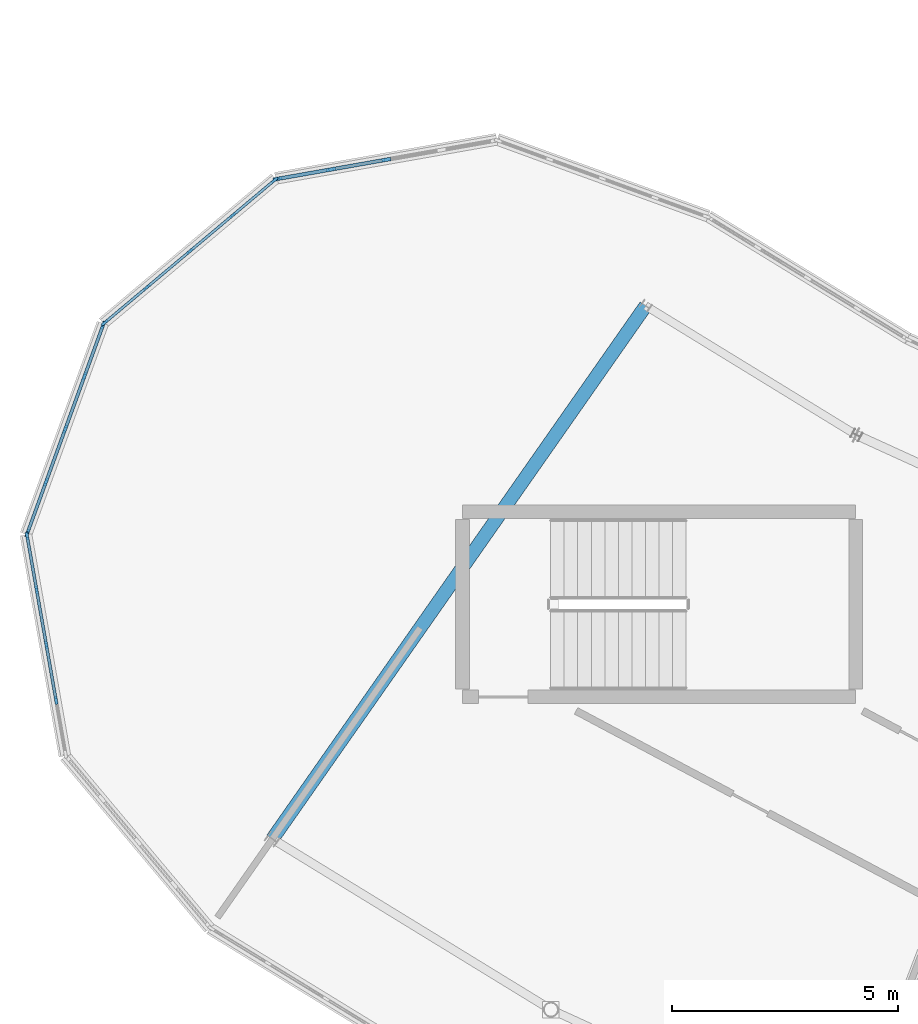
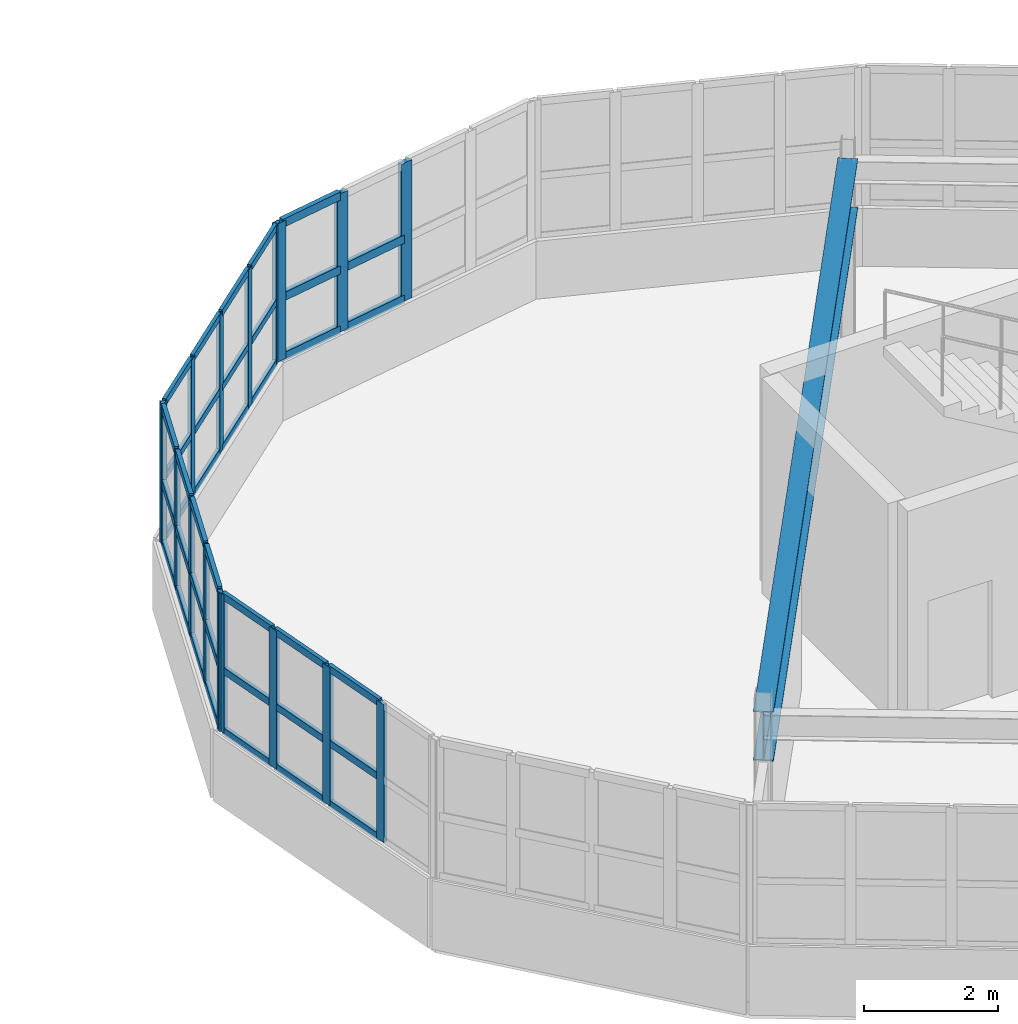
# One storey, part 16 of 65: 55 members, 1 beam, 4 elements without a shape of their own.
"""IFC4 building model written with IfcOpenShell, lengths in metres."""

from ifc_helpers import new_model, si_unit, direction, frame, origin, origin_2d, place, context, subcontext, project, spatial, rectangle, i_section, extrude, material, layer, layer_set, material_profile, profile_set, type_object, element, aggregate, save


model = new_model("IFC4")

# Units and contexts
model_context = context("Model", 3, precision=1e-05, world=origin(), true_north=direction((0.0, 1.0)))
body_context = subcontext(model_context, "Body", "Model", "MODEL_VIEW")
ifc_project = project(units=[si_unit("LENGTHUNIT", "METRE"), si_unit("AREAUNIT", "SQUARE_METRE"), si_unit("VOLUMEUNIT", "CUBIC_METRE"), si_unit("PLANEANGLEUNIT", "RADIAN"), si_unit("MASSUNIT", "GRAM", prefix="KILO")], contexts=[model_context])

# Site, building, storey
site_placement = place(None, origin())
site = spatial("IfcSite", under=ifc_project, at=site_placement, CompositionType="ELEMENT")
building_placement = place(site_placement, origin())
building = spatial("IfcBuilding", under=site, at=building_placement, Name="Tarnwether General Hospital", CompositionType="ELEMENT")
storey_placement = place(building_placement, frame((0.0, 0.0, 22.199951171875)))
storey = spatial("IfcBuildingStorey", under=building, at=storey_placement, Name="L05", CompositionType="ELEMENT", Elevation=22.199951171875)

# Beam
ifc_material_1 = material(Name="Steel Grade 350 (350 MPa)", Category="steel")
ifc_material_profile_1 = material_profile(ifc_material_1, i_section(OverallWidth=0.300048828125, OverallDepth=0.89990234375, WebThickness=0.011962890625, FlangeThickness=0.02001953125, at=origin_2d()), Name="900WB175")
ifc_profile_set_1 = profile_set([ifc_material_profile_1], Name="Steel Grade 350 (350 MPa)")
beam_type = type_object("IfcBeamType", Name="BM-G01", PredefinedType="BEAM", material=ifc_profile_set_1)
beam_placement = place(storey_placement, frame((58.0439453125, 14.506103515625, 3.110107421875), z_axis=(0.573596601347, 0.819137924237, 0.0), x_axis=(-0.819137924237, 0.573596601347, 0.0)))
element("IfcBeam", 1, at=beam_placement, inside=storey, type_object=beam_type, Name="Curved Ward SE Radial Girder BMG-L05-5804_1451-6630_2630-2164", PredefinedType="BEAM", context=body_context, shape_type="SweptSolid", body=[
    extrude(i_section(OverallWidth=0.300048828125, OverallDepth=0.89990234375, WebThickness=0.011962890625, FlangeThickness=0.02001953125, at=origin_2d()), origin(), (0.0, 0.0, 1.0), 14.400390625),
])

# Curtain wall, members
ifc_material_2 = material(Name="Anodised aluminium", Category="aluminium")
ifc_layer = layer(ifc_material_2, 0.159912109375)
ifc_layer_set = layer_set([ifc_layer], Name="Anodised aluminium")
curtain_wall_type = type_object("IfcCurtainWallType", Name="CW-04", PredefinedType="NOTDEFINED", material=ifc_layer_set)
curtain_wall_1_placement = place(storey_placement, origin())
curtain_wall_1 = element("IfcCurtainWall", 2, at=curtain_wall_1_placement, inside=storey, type_object=curtain_wall_type, Name="Curtain Wall CWG-L05-543_259-0241", PredefinedType="NOTDEFINED")
ifc_material_3 = material(Name="Anodised aluminium", Category="aluminium")
ifc_material_profile_2 = material_profile(ifc_material_3, rectangle(XDim=0.06005859375, YDim=0.159912109375, at=origin_2d()), Name="ALU-MUL-60x160")
ifc_profile_set_2 = profile_set([ifc_material_profile_2], Name="Anodised aluminium")
member_type_1 = type_object("IfcMemberType", Name="CW-ML1", PredefinedType="MULLION", material=ifc_profile_set_2)
member_1_placement = place(storey_placement, frame((54.3330078125, 25.92919921875, 1.050048828125), z_axis=(0.0, 0.0, 1.0), x_axis=(-0.64285227611, 0.765990176896, 0.0)))
member_1 = element("IfcMember", 3, at=member_1_placement, type_object=member_type_1, Name="CW-04 mullion 1", PredefinedType="MULLION", context=body_context, shape_type="SweptSolid", body=[
    extrude(rectangle(XDim=0.06005859375, YDim=0.159912109375, at=origin_2d()), origin(), (0.0, 0.0, 1.0), 2.510009765625),
])
member_2_placement = place(storey_placement, frame((55.26171875, 26.708740234375, 1.050048828125), z_axis=(0.0, 0.0, 1.0), x_axis=(-0.64285227611, 0.765990176896, 0.0)))
member_2 = element("IfcMember", 4, at=member_2_placement, type_object=member_type_1, Name="CW-04 mullion 2", PredefinedType="MULLION", context=body_context, shape_type="SweptSolid", body=[
    extrude(rectangle(XDim=0.06005859375, YDim=0.159912109375, at=origin_2d()), origin(), (0.0, 0.0, 1.0), 2.510009765625),
])
member_3_placement = place(storey_placement, frame((56.21337890625, 27.507568359375, 1.050048828125), z_axis=(0.0, 0.0, 1.0), x_axis=(-0.64285227611, 0.765990176896, 0.0)))
member_3 = element("IfcMember", 5, at=member_3_placement, type_object=member_type_1, Name="CW-04 mullion 3", PredefinedType="MULLION", context=body_context, shape_type="SweptSolid", body=[
    extrude(rectangle(XDim=0.06005859375, YDim=0.159912109375, at=origin_2d()), origin(), (0.0, 0.0, 1.0), 2.510009765625),
])
member_4_placement = place(storey_placement, frame((57.165283203125, 28.30615234375, 1.050048828125), z_axis=(0.0, 0.0, 1.0), x_axis=(-0.64285227611, 0.765990176896, 0.0)))
member_4 = element("IfcMember", 6, at=member_4_placement, type_object=member_type_1, Name="CW-04 mullion 4", PredefinedType="MULLION", context=body_context, shape_type="SweptSolid", body=[
    extrude(rectangle(XDim=0.06005859375, YDim=0.159912109375, at=origin_2d()), origin(), (0.0, 0.0, 1.0), 2.510009765625),
])
member_5_placement = place(storey_placement, frame((58.093994140625, 29.085693359375, 1.050048828125), z_axis=(0.0, 0.0, 1.0), x_axis=(-0.64285227611, 0.765990176896, 0.0)))
member_5 = element("IfcMember", 7, at=member_5_placement, type_object=member_type_1, Name="CW-04 mullion 5", PredefinedType="MULLION", context=body_context, shape_type="SweptSolid", body=[
    extrude(rectangle(XDim=0.06005859375, YDim=0.159912109375, at=origin_2d()), origin(), (0.0, 0.0, 1.0), 2.510009765625),
])

curtain_wall_2_placement = place(storey_placement, origin())
curtain_wall_2 = element("IfcCurtainWall", 8, at=curtain_wall_2_placement, inside=storey, type_object=curtain_wall_type, Name="Curtain Wall CWG-L05-526_212-0242", PredefinedType="NOTDEFINED")
ifc_material_4 = material(Name="Anodised aluminium", Category="aluminium")
ifc_material_profile_3 = material_profile(ifc_material_4, rectangle(XDim=0.070068359375, YDim=0.179931640625, at=origin_2d()), Name="ALU-MUL-70x180")
ifc_profile_set_3 = profile_set([ifc_material_profile_3], Name="Anodised aluminium")
member_type_2 = type_object("IfcMemberType", Name="CW-ML2", PredefinedType="MULLION", material=ifc_profile_set_3)
member_6_placement = place(storey_placement, frame((52.623046875, 21.27392578125, 1.050048828125), z_axis=(0.0, 0.0, 1.0), x_axis=(-0.939717006582, 0.341953136469, 0.0)))
member_6 = element("IfcMember", 9, at=member_6_placement, type_object=member_type_2, Name="CW-04 mullion 1", PredefinedType="MULLION", context=body_context, shape_type="SweptSolid", body=[
    extrude(rectangle(XDim=0.070068359375, YDim=0.179931640625, at=origin_2d()), origin(), (0.0, 0.0, 1.0), 2.510009765625),
])
member_7_placement = place(storey_placement, frame((53.03564453125, 22.408203125, 1.050048828125), z_axis=(0.0, 0.0, 1.0), x_axis=(-0.939717006582, 0.341953136469, 0.0)))
member_7 = element("IfcMember", 10, at=member_7_placement, type_object=member_type_2, Name="CW-04 mullion 2", PredefinedType="MULLION", context=body_context, shape_type="SweptSolid", body=[
    extrude(rectangle(XDim=0.070068359375, YDim=0.179931640625, at=origin_2d()), origin(), (0.0, 0.0, 1.0), 2.510009765625),
])
member_8_placement = place(storey_placement, frame((53.46044921875, 23.575439453125, 1.050048828125), z_axis=(0.0, 0.0, 1.0), x_axis=(-0.939717006582, 0.341953136469, 0.0)))
member_8 = element("IfcMember", 11, at=member_8_placement, type_object=member_type_2, Name="CW-04 mullion 3", PredefinedType="MULLION", context=body_context, shape_type="SweptSolid", body=[
    extrude(rectangle(XDim=0.070068359375, YDim=0.179931640625, at=origin_2d()), origin(), (0.0, 0.0, 1.0), 2.510009765625),
])
member_9_placement = place(storey_placement, frame((53.88525390625, 24.74267578125, 1.050048828125), z_axis=(0.0, 0.0, 1.0), x_axis=(-0.939717006582, 0.341953136469, 0.0)))
member_9 = element("IfcMember", 12, at=member_9_placement, type_object=member_type_2, Name="CW-04 mullion 4", PredefinedType="MULLION", context=body_context, shape_type="SweptSolid", body=[
    extrude(rectangle(XDim=0.070068359375, YDim=0.179931640625, at=origin_2d()), origin(), (0.0, 0.0, 1.0), 2.510009765625),
])
member_10_placement = place(storey_placement, frame((54.298095703125, 25.877197265625, 1.050048828125), z_axis=(0.0, 0.0, 1.0), x_axis=(-0.939717006582, 0.341953136469, 0.0)))
member_10 = element("IfcMember", 13, at=member_10_placement, type_object=member_type_2, Name="CW-04 mullion 5", PredefinedType="MULLION", context=body_context, shape_type="SweptSolid", body=[
    extrude(rectangle(XDim=0.070068359375, YDim=0.179931640625, at=origin_2d()), origin(), (0.0, 0.0, 1.0), 2.510009765625),
])

curtain_wall_3_placement = place(storey_placement, origin())
curtain_wall_3 = element("IfcCurtainWall", 14, at=curtain_wall_3_placement, inside=storey, type_object=curtain_wall_type, Name="Curtain Wall CWG-L05-535_163-0243", PredefinedType="NOTDEFINED")
ifc_material_5 = material(Name="Anodised aluminium", Category="aluminium")
ifc_material_profile_4 = material_profile(ifc_material_5, rectangle(XDim=0.06494140625, YDim=0.169921875, at=origin_2d()), Name="ALU-MUL-65x170")
ifc_profile_set_4 = profile_set([ifc_material_profile_4], Name="Anodised aluminium")
member_type_3 = type_object("IfcMemberType", Name="CW-ML3", PredefinedType="MULLION", material=ifc_profile_set_4)
member_11_placement = place(storey_placement, frame((53.257568359375, 17.570556640625, 1.050048828125), z_axis=(0.0, 0.0, 1.0), x_axis=(-0.984840230098, -0.173463890135, 0.0)))
member_11 = element("IfcMember", 15, at=member_11_placement, type_object=member_type_3, Name="CW-04 mullion 2", PredefinedType="MULLION", context=body_context, shape_type="SweptSolid", body=[
    extrude(rectangle(XDim=0.06494140625, YDim=0.169921875, at=origin_2d()), origin(), (0.0, 0.0, 1.0), 2.510009765625),
])
member_12_placement = place(storey_placement, frame((53.0419921875, 18.7939453125, 1.050048828125), z_axis=(0.0, 0.0, 1.0), x_axis=(-0.984840230098, -0.173463890135, 0.0)))
member_12 = element("IfcMember", 16, at=member_12_placement, type_object=member_type_3, Name="CW-04 mullion 3", PredefinedType="MULLION", context=body_context, shape_type="SweptSolid", body=[
    extrude(rectangle(XDim=0.06494140625, YDim=0.169921875, at=origin_2d()), origin(), (0.0, 0.0, 1.0), 2.510009765625),
])
member_13_placement = place(storey_placement, frame((52.826416015625, 20.017578125, 1.050048828125), z_axis=(0.0, 0.0, 1.0), x_axis=(-0.984840230098, -0.173463890135, 0.0)))
member_13 = element("IfcMember", 17, at=member_13_placement, type_object=member_type_3, Name="CW-04 mullion 4", PredefinedType="MULLION", context=body_context, shape_type="SweptSolid", body=[
    extrude(rectangle(XDim=0.06494140625, YDim=0.169921875, at=origin_2d()), origin(), (0.0, 0.0, 1.0), 2.510009765625),
])
member_14_placement = place(storey_placement, frame((52.61669921875, 21.208984375, 1.050048828125), z_axis=(0.0, 0.0, 1.0), x_axis=(-0.984840230098, -0.173463890135, 0.0)))
member_14 = element("IfcMember", 18, at=member_14_placement, type_object=member_type_3, Name="CW-04 mullion 5", PredefinedType="MULLION", context=body_context, shape_type="SweptSolid", body=[
    extrude(rectangle(XDim=0.06494140625, YDim=0.169921875, at=origin_2d()), origin(), (0.0, 0.0, 1.0), 2.510009765625),
])

curtain_wall_4_placement = place(storey_placement, origin())
curtain_wall_4 = element("IfcCurtainWall", 19, at=curtain_wall_4_placement, inside=storey, type_object=curtain_wall_type, Name="Curtain Wall CWG-L05-581_291-0240", PredefinedType="NOTDEFINED")
ifc_material_6 = material(Name="Anodised aluminium", Category="aluminium")
ifc_material_profile_5 = material_profile(ifc_material_6, rectangle(XDim=0.080078125, YDim=0.199951171875, at=origin_2d()), Name="ALU-MUL-80x200")
ifc_profile_set_5 = profile_set([ifc_material_profile_5], Name="Anodised aluminium")
member_type_4 = type_object("IfcMemberType", Name="CW-ML4", PredefinedType="MULLION", material=ifc_profile_set_5)
member_15_placement = place(storey_placement, frame((58.156494140625, 29.112060546875, 1.050048828125), z_axis=(0.0, 0.0, 1.0), x_axis=(-0.173659059054, 0.984805834268, 0.0)))
member_15 = element("IfcMember", 20, at=member_15_placement, type_object=member_type_4, Name="CW-04 mullion 1", PredefinedType="MULLION", context=body_context, shape_type="SweptSolid", body=[
    extrude(rectangle(XDim=0.080078125, YDim=0.199951171875, at=origin_2d()), origin(), (0.0, 0.0, 1.0), 2.510009765625),
])
member_16_placement = place(storey_placement, frame((59.340576171875, 29.32080078125, 1.050048828125), z_axis=(0.0, 0.0, 1.0), x_axis=(-0.173659059054, 0.984805834268, 0.0)))
member_16 = element("IfcMember", 21, at=member_16_placement, type_object=member_type_4, Name="CW-04 mullion 2", PredefinedType="MULLION", context=body_context, shape_type="SweptSolid", body=[
    extrude(rectangle(XDim=0.080078125, YDim=0.199951171875, at=origin_2d()), origin(), (0.0, 0.0, 1.0), 2.510009765625),
])
member_17_placement = place(storey_placement, frame((60.56396484375, 29.53662109375, 1.050048828125), z_axis=(0.0, 0.0, 1.0), x_axis=(-0.173659059054, 0.984805834268, 0.0)))
member_17 = element("IfcMember", 22, at=member_17_placement, type_object=member_type_4, Name="CW-04 mullion 3", PredefinedType="MULLION", context=body_context, shape_type="SweptSolid", body=[
    extrude(rectangle(XDim=0.080078125, YDim=0.199951171875, at=origin_2d()), origin(), (0.0, 0.0, 1.0), 2.510009765625),
])

# Member
ifc_material_7 = material(Name="Anodised aluminium", Category="aluminium")
ifc_material_profile_6 = material_profile(ifc_material_7, rectangle(XDim=0.06005859375, YDim=0.1201171875, at=origin_2d()), Name="ALU-TRN-60x120")
ifc_profile_set_6 = profile_set([ifc_material_profile_6], Name="Anodised aluminium")
member_type_5 = type_object("IfcMemberType", Name="CW-TR1", PredefinedType="USERDEFINED", material=ifc_profile_set_6)
member_18_placement = place(storey_placement, frame((54.35595703125, 25.948486328125, 1.080078125), z_axis=(0.765959352555, 0.642889003043, 0.0), x_axis=(-0.642889003043, 0.765959352555, 0.0)))
member_18 = element("IfcMember", 23, at=member_18_placement, type_object=member_type_5, Name="CW-04 transom 1.1", ObjectType="TRANSOM", PredefinedType="USERDEFINED", context=body_context, shape_type="SweptSolid", body=[
    extrude(rectangle(XDim=0.06005859375, YDim=0.1201171875, at=origin_2d()), origin(), (0.0, 0.0, 1.0), 1.152587890625),
])

member_19_placement = place(storey_placement, frame((54.35595703125, 25.948486328125, 2.179443359375), z_axis=(0.765959352555, 0.642889003043, 0.0), x_axis=(-0.642889003043, 0.765959352555, 0.0)))
member_19 = element("IfcMember", 24, at=member_19_placement, type_object=member_type_5, Name="CW-04 transom 1.2", ObjectType="TRANSOM", PredefinedType="USERDEFINED", context=body_context, shape_type="SweptSolid", body=[
    extrude(rectangle(XDim=0.06005859375, YDim=0.1201171875, at=origin_2d()), origin(), (0.0, 0.0, 1.0), 1.152587890625),
])

member_20_placement = place(storey_placement, frame((54.35595703125, 25.948486328125, 3.530029296875), z_axis=(0.765959352555, 0.642889003043, 0.0), x_axis=(-0.642889003043, 0.765959352555, 0.0)))
member_20 = element("IfcMember", 25, at=member_20_placement, type_object=member_type_5, Name="CW-04 transom 1.3", ObjectType="TRANSOM", PredefinedType="USERDEFINED", context=body_context, shape_type="SweptSolid", body=[
    extrude(rectangle(XDim=0.06005859375, YDim=0.1201171875, at=origin_2d()), origin(), (0.0, 0.0, 1.0), 1.152587890625),
])

member_21_placement = place(storey_placement, frame((55.28466796875, 26.72802734375, 1.080078125), z_axis=(0.765948837417, 0.642901530921, 0.0), x_axis=(-0.642901530921, 0.765948837417, 0.0)))
member_21 = element("IfcMember", 26, at=member_21_placement, type_object=member_type_5, Name="CW-04 transom 2.1", ObjectType="TRANSOM", PredefinedType="USERDEFINED", context=body_context, shape_type="SweptSolid", body=[
    extrude(rectangle(XDim=0.06005859375, YDim=0.1201171875, at=origin_2d()), origin(), (0.0, 0.0, 1.0), 1.1826171875),
])

member_22_placement = place(storey_placement, frame((55.28466796875, 26.72802734375, 2.179443359375), z_axis=(0.765948837417, 0.642901530921, 0.0), x_axis=(-0.642901530921, 0.765948837417, 0.0)))
member_22 = element("IfcMember", 27, at=member_22_placement, type_object=member_type_5, Name="CW-04 transom 2.2", ObjectType="TRANSOM", PredefinedType="USERDEFINED", context=body_context, shape_type="SweptSolid", body=[
    extrude(rectangle(XDim=0.06005859375, YDim=0.1201171875, at=origin_2d()), origin(), (0.0, 0.0, 1.0), 1.1826171875),
])

member_23_placement = place(storey_placement, frame((55.28466796875, 26.72802734375, 3.530029296875), z_axis=(0.765948837417, 0.642901530921, 0.0), x_axis=(-0.642901530921, 0.765948837417, 0.0)))
member_23 = element("IfcMember", 28, at=member_23_placement, type_object=member_type_5, Name="CW-04 transom 2.3", ObjectType="TRANSOM", PredefinedType="USERDEFINED", context=body_context, shape_type="SweptSolid", body=[
    extrude(rectangle(XDim=0.06005859375, YDim=0.1201171875, at=origin_2d()), origin(), (0.0, 0.0, 1.0), 1.1826171875),
])

member_24_placement = place(storey_placement, frame((56.236572265625, 27.52685546875, 1.080078125), z_axis=(0.766050506006, 0.64278038415, 0.0), x_axis=(-0.64278038415, 0.766050506006, 0.0)))
member_24 = element("IfcMember", 29, at=member_24_placement, type_object=member_type_5, Name="CW-04 transom 3.1", ObjectType="TRANSOM", PredefinedType="USERDEFINED", context=body_context, shape_type="SweptSolid", body=[
    extrude(rectangle(XDim=0.06005859375, YDim=0.1201171875, at=origin_2d()), origin(), (0.0, 0.0, 1.0), 1.182373046875),
])

member_25_placement = place(storey_placement, frame((56.236572265625, 27.52685546875, 2.179443359375), z_axis=(0.766050506006, 0.64278038415, 0.0), x_axis=(-0.64278038415, 0.766050506006, 0.0)))
member_25 = element("IfcMember", 30, at=member_25_placement, type_object=member_type_5, Name="CW-04 transom 3.2", ObjectType="TRANSOM", PredefinedType="USERDEFINED", context=body_context, shape_type="SweptSolid", body=[
    extrude(rectangle(XDim=0.06005859375, YDim=0.1201171875, at=origin_2d()), origin(), (0.0, 0.0, 1.0), 1.182373046875),
])

member_26_placement = place(storey_placement, frame((56.236572265625, 27.52685546875, 3.530029296875), z_axis=(0.766050506006, 0.64278038415, 0.0), x_axis=(-0.64278038415, 0.766050506006, 0.0)))
member_26 = element("IfcMember", 31, at=member_26_placement, type_object=member_type_5, Name="CW-04 transom 3.3", ObjectType="TRANSOM", PredefinedType="USERDEFINED", context=body_context, shape_type="SweptSolid", body=[
    extrude(rectangle(XDim=0.06005859375, YDim=0.1201171875, at=origin_2d()), origin(), (0.0, 0.0, 1.0), 1.182373046875),
])

member_27_placement = place(storey_placement, frame((57.188232421875, 28.325439453125, 1.080078125), z_axis=(0.765959352555, 0.642889003043, 0.0), x_axis=(-0.642889003043, 0.765959352555, 0.0)))
member_27 = element("IfcMember", 32, at=member_27_placement, type_object=member_type_5, Name="CW-04 transom 4.1", ObjectType="TRANSOM", PredefinedType="USERDEFINED", context=body_context, shape_type="SweptSolid", body=[
    extrude(rectangle(XDim=0.06005859375, YDim=0.1201171875, at=origin_2d()), origin(), (0.0, 0.0, 1.0), 1.152587890625),
])

member_28_placement = place(storey_placement, frame((57.188232421875, 28.325439453125, 2.179443359375), z_axis=(0.765959352555, 0.642889003043, 0.0), x_axis=(-0.642889003043, 0.765959352555, 0.0)))
member_28 = element("IfcMember", 33, at=member_28_placement, type_object=member_type_5, Name="CW-04 transom 4.2", ObjectType="TRANSOM", PredefinedType="USERDEFINED", context=body_context, shape_type="SweptSolid", body=[
    extrude(rectangle(XDim=0.06005859375, YDim=0.1201171875, at=origin_2d()), origin(), (0.0, 0.0, 1.0), 1.152587890625),
])

member_29_placement = place(storey_placement, frame((57.188232421875, 28.325439453125, 3.530029296875), z_axis=(0.765959352555, 0.642889003043, 0.0), x_axis=(-0.642889003043, 0.765959352555, 0.0)))
member_29 = element("IfcMember", 34, at=member_29_placement, type_object=member_type_5, Name="CW-04 transom 4.3", ObjectType="TRANSOM", PredefinedType="USERDEFINED", context=body_context, shape_type="SweptSolid", body=[
    extrude(rectangle(XDim=0.06005859375, YDim=0.1201171875, at=origin_2d()), origin(), (0.0, 0.0, 1.0), 1.152587890625),
])

aggregate(curtain_wall_1, [member_1, member_2, member_3, member_4, member_5, member_18, member_19, member_20, member_21, member_22, member_23, member_24, member_25, member_26, member_27, member_28, member_29])

ifc_material_8 = material(Name="Anodised aluminium", Category="aluminium")
ifc_material_profile_7 = material_profile(ifc_material_8, rectangle(XDim=0.070068359375, YDim=0.139892578125, at=origin_2d()), Name="ALU-TRN-70x140")
ifc_profile_set_7 = profile_set([ifc_material_profile_7], Name="Anodised aluminium")
member_type_6 = type_object("IfcMemberType", Name="CW-TR2", PredefinedType="USERDEFINED", material=ifc_profile_set_7)
member_30_placement = place(storey_placement, frame((52.635009765625, 21.306884765625, 1.0849609375), z_axis=(0.341881000608, 0.939743252928, 0.0), x_axis=(-0.939743252928, 0.341881000608, 0.0)))
member_30 = element("IfcMember", 35, at=member_30_placement, type_object=member_type_6, Name="CW-04 transom 1.1", ObjectType="TRANSOM", PredefinedType="USERDEFINED", context=body_context, shape_type="SweptSolid", body=[
    extrude(rectangle(XDim=0.070068359375, YDim=0.139892578125, at=origin_2d()), origin(), (0.0, 0.0, 1.0), 1.136962890625),
])

member_31_placement = place(storey_placement, frame((52.635009765625, 21.306884765625, 2.179443359375), z_axis=(0.341881000608, 0.939743252928, 0.0), x_axis=(-0.939743252928, 0.341881000608, 0.0)))
member_31 = element("IfcMember", 36, at=member_31_placement, type_object=member_type_6, Name="CW-04 transom 1.2", ObjectType="TRANSOM", PredefinedType="USERDEFINED", context=body_context, shape_type="SweptSolid", body=[
    extrude(rectangle(XDim=0.070068359375, YDim=0.139892578125, at=origin_2d()), origin(), (0.0, 0.0, 1.0), 1.136962890625),
])

member_32_placement = place(storey_placement, frame((52.635009765625, 21.306884765625, 3.525146484375), z_axis=(0.341881000608, 0.939743252928, 0.0), x_axis=(-0.939743252928, 0.341881000608, 0.0)))
member_32 = element("IfcMember", 37, at=member_32_placement, type_object=member_type_6, Name="CW-04 transom 1.3", ObjectType="TRANSOM", PredefinedType="USERDEFINED", context=body_context, shape_type="SweptSolid", body=[
    extrude(rectangle(XDim=0.070068359375, YDim=0.139892578125, at=origin_2d()), origin(), (0.0, 0.0, 1.0), 1.136962890625),
])

member_33_placement = place(storey_placement, frame((53.047607421875, 22.441162109375, 1.0849609375), z_axis=(0.341977164717, 0.939708262607, 0.0), x_axis=(-0.939708262607, 0.341977164717, 0.0)))
member_33 = element("IfcMember", 38, at=member_33_placement, type_object=member_type_6, Name="CW-04 transom 2.1", ObjectType="TRANSOM", PredefinedType="USERDEFINED", context=body_context, shape_type="SweptSolid", body=[
    extrude(rectangle(XDim=0.070068359375, YDim=0.139892578125, at=origin_2d()), origin(), (0.0, 0.0, 1.0), 1.172119140625),
])

member_34_placement = place(storey_placement, frame((53.047607421875, 22.441162109375, 2.179443359375), z_axis=(0.341977164717, 0.939708262607, 0.0), x_axis=(-0.939708262607, 0.341977164717, 0.0)))
member_34 = element("IfcMember", 39, at=member_34_placement, type_object=member_type_6, Name="CW-04 transom 2.2", ObjectType="TRANSOM", PredefinedType="USERDEFINED", context=body_context, shape_type="SweptSolid", body=[
    extrude(rectangle(XDim=0.070068359375, YDim=0.139892578125, at=origin_2d()), origin(), (0.0, 0.0, 1.0), 1.172119140625),
])

member_35_placement = place(storey_placement, frame((53.047607421875, 22.441162109375, 3.525146484375), z_axis=(0.341977164717, 0.939708262607, 0.0), x_axis=(-0.939708262607, 0.341977164717, 0.0)))
member_35 = element("IfcMember", 40, at=member_35_placement, type_object=member_type_6, Name="CW-04 transom 2.3", ObjectType="TRANSOM", PredefinedType="USERDEFINED", context=body_context, shape_type="SweptSolid", body=[
    extrude(rectangle(XDim=0.070068359375, YDim=0.139892578125, at=origin_2d()), origin(), (0.0, 0.0, 1.0), 1.172119140625),
])

member_36_placement = place(storey_placement, frame((53.472412109375, 23.6083984375, 1.0849609375), z_axis=(0.341977164717, 0.939708262607, 0.0), x_axis=(-0.939708262607, 0.341977164717, 0.0)))
member_36 = element("IfcMember", 41, at=member_36_placement, type_object=member_type_6, Name="CW-04 transom 3.1", ObjectType="TRANSOM", PredefinedType="USERDEFINED", context=body_context, shape_type="SweptSolid", body=[
    extrude(rectangle(XDim=0.070068359375, YDim=0.139892578125, at=origin_2d()), origin(), (0.0, 0.0, 1.0), 1.172119140625),
])

member_37_placement = place(storey_placement, frame((53.472412109375, 23.6083984375, 2.179443359375), z_axis=(0.341977164717, 0.939708262607, 0.0), x_axis=(-0.939708262607, 0.341977164717, 0.0)))
member_37 = element("IfcMember", 42, at=member_37_placement, type_object=member_type_6, Name="CW-04 transom 3.2", ObjectType="TRANSOM", PredefinedType="USERDEFINED", context=body_context, shape_type="SweptSolid", body=[
    extrude(rectangle(XDim=0.070068359375, YDim=0.139892578125, at=origin_2d()), origin(), (0.0, 0.0, 1.0), 1.172119140625),
])

member_38_placement = place(storey_placement, frame((53.472412109375, 23.6083984375, 3.525146484375), z_axis=(0.341977164717, 0.939708262607, 0.0), x_axis=(-0.939708262607, 0.341977164717, 0.0)))
member_38 = element("IfcMember", 43, at=member_38_placement, type_object=member_type_6, Name="CW-04 transom 3.3", ObjectType="TRANSOM", PredefinedType="USERDEFINED", context=body_context, shape_type="SweptSolid", body=[
    extrude(rectangle(XDim=0.070068359375, YDim=0.139892578125, at=origin_2d()), origin(), (0.0, 0.0, 1.0), 1.172119140625),
])

member_39_placement = place(storey_placement, frame((53.897216796875, 24.775634765625, 1.0849609375), z_axis=(0.342001618739, 0.939699362977, 0.0), x_axis=(-0.939699362977, 0.342001618739, 0.0)))
member_39 = element("IfcMember", 44, at=member_39_placement, type_object=member_type_6, Name="CW-04 transom 4.1", ObjectType="TRANSOM", PredefinedType="USERDEFINED", context=body_context, shape_type="SweptSolid", body=[
    extrude(rectangle(XDim=0.070068359375, YDim=0.139892578125, at=origin_2d()), origin(), (0.0, 0.0, 1.0), 1.13720703125),
])

member_40_placement = place(storey_placement, frame((53.897216796875, 24.775634765625, 2.179443359375), z_axis=(0.342001618739, 0.939699362977, 0.0), x_axis=(-0.939699362977, 0.342001618739, 0.0)))
member_40 = element("IfcMember", 45, at=member_40_placement, type_object=member_type_6, Name="CW-04 transom 4.2", ObjectType="TRANSOM", PredefinedType="USERDEFINED", context=body_context, shape_type="SweptSolid", body=[
    extrude(rectangle(XDim=0.070068359375, YDim=0.139892578125, at=origin_2d()), origin(), (0.0, 0.0, 1.0), 1.13720703125),
])

member_41_placement = place(storey_placement, frame((53.897216796875, 24.775634765625, 3.525146484375), z_axis=(0.342001618739, 0.939699362977, 0.0), x_axis=(-0.939699362977, 0.342001618739, 0.0)))
member_41 = element("IfcMember", 46, at=member_41_placement, type_object=member_type_6, Name="CW-04 transom 4.3", ObjectType="TRANSOM", PredefinedType="USERDEFINED", context=body_context, shape_type="SweptSolid", body=[
    extrude(rectangle(XDim=0.070068359375, YDim=0.139892578125, at=origin_2d()), origin(), (0.0, 0.0, 1.0), 1.13720703125),
])

aggregate(curtain_wall_2, [member_6, member_7, member_8, member_9, member_10, member_30, member_31, member_32, member_33, member_34, member_35, member_36, member_37, member_38, member_39, member_40, member_41])

ifc_material_9 = material(Name="Anodised aluminium", Category="aluminium")
ifc_material_profile_8 = material_profile(ifc_material_9, rectangle(XDim=0.06494140625, YDim=0.1298828125, at=origin_2d()), Name="ALU-TRN-65x130")
ifc_profile_set_8 = profile_set([ifc_material_profile_8], Name="Anodised aluminium")
member_type_7 = type_object("IfcMemberType", Name="CW-TR3", PredefinedType="USERDEFINED", material=ifc_profile_set_8)
member_42_placement = place(storey_placement, frame((53.251953125, 17.6025390625, 1.08251953125), z_axis=(-0.173572388329, 0.98482111371, 0.0), x_axis=(-0.98482111371, -0.173572388329, 0.0)))
member_42 = element("IfcMember", 47, at=member_42_placement, type_object=member_type_7, Name="CW-04 transom 2.1", ObjectType="TRANSOM", PredefinedType="USERDEFINED", context=body_context, shape_type="SweptSolid", body=[
    extrude(rectangle(XDim=0.06494140625, YDim=0.1298828125, at=origin_2d()), origin(), (0.0, 0.0, 1.0), 1.17724609375),
])

member_43_placement = place(storey_placement, frame((53.251953125, 17.6025390625, 2.179443359375), z_axis=(-0.173572388329, 0.98482111371, 0.0), x_axis=(-0.98482111371, -0.173572388329, 0.0)))
member_43 = element("IfcMember", 48, at=member_43_placement, type_object=member_type_7, Name="CW-04 transom 2.2", ObjectType="TRANSOM", PredefinedType="USERDEFINED", context=body_context, shape_type="SweptSolid", body=[
    extrude(rectangle(XDim=0.06494140625, YDim=0.1298828125, at=origin_2d()), origin(), (0.0, 0.0, 1.0), 1.17724609375),
])

member_44_placement = place(storey_placement, frame((53.251953125, 17.6025390625, 3.527587890625), z_axis=(-0.173572388329, 0.98482111371, 0.0), x_axis=(-0.98482111371, -0.173572388329, 0.0)))
member_44 = element("IfcMember", 49, at=member_44_placement, type_object=member_type_7, Name="CW-04 transom 2.3", ObjectType="TRANSOM", PredefinedType="USERDEFINED", context=body_context, shape_type="SweptSolid", body=[
    extrude(rectangle(XDim=0.06494140625, YDim=0.1298828125, at=origin_2d()), origin(), (0.0, 0.0, 1.0), 1.17724609375),
])

member_45_placement = place(storey_placement, frame((53.036376953125, 18.825927734375, 1.08251953125), z_axis=(-0.173536947338, 0.984827359444, 0.0), x_axis=(-0.984827359444, -0.173536947338, 0.0)))
member_45 = element("IfcMember", 50, at=member_45_placement, type_object=member_type_7, Name="CW-04 transom 3.1", ObjectType="TRANSOM", PredefinedType="USERDEFINED", context=body_context, shape_type="SweptSolid", body=[
    extrude(rectangle(XDim=0.06494140625, YDim=0.1298828125, at=origin_2d()), origin(), (0.0, 0.0, 1.0), 1.177490234375),
])

member_46_placement = place(storey_placement, frame((53.036376953125, 18.825927734375, 2.179443359375), z_axis=(-0.173536947338, 0.984827359444, 0.0), x_axis=(-0.984827359444, -0.173536947338, 0.0)))
member_46 = element("IfcMember", 51, at=member_46_placement, type_object=member_type_7, Name="CW-04 transom 3.2", ObjectType="TRANSOM", PredefinedType="USERDEFINED", context=body_context, shape_type="SweptSolid", body=[
    extrude(rectangle(XDim=0.06494140625, YDim=0.1298828125, at=origin_2d()), origin(), (0.0, 0.0, 1.0), 1.177490234375),
])

member_47_placement = place(storey_placement, frame((53.036376953125, 18.825927734375, 3.527587890625), z_axis=(-0.173536947338, 0.984827359444, 0.0), x_axis=(-0.984827359444, -0.173536947338, 0.0)))
member_47 = element("IfcMember", 52, at=member_47_placement, type_object=member_type_7, Name="CW-04 transom 3.3", ObjectType="TRANSOM", PredefinedType="USERDEFINED", context=body_context, shape_type="SweptSolid", body=[
    extrude(rectangle(XDim=0.06494140625, YDim=0.1298828125, at=origin_2d()), origin(), (0.0, 0.0, 1.0), 1.177490234375),
])

member_48_placement = place(storey_placement, frame((52.82080078125, 20.049560546875, 1.08251953125), z_axis=(-0.173383838773, 0.984854326513, 0.0), x_axis=(-0.984854326513, -0.173383838773, 0.0)))
member_48 = element("IfcMember", 53, at=member_48_placement, type_object=member_type_7, Name="CW-04 transom 4.1", ObjectType="TRANSOM", PredefinedType="USERDEFINED", context=body_context, shape_type="SweptSolid", body=[
    extrude(rectangle(XDim=0.06494140625, YDim=0.1298828125, at=origin_2d()), origin(), (0.0, 0.0, 1.0), 1.144775390625),
])

member_49_placement = place(storey_placement, frame((52.82080078125, 20.049560546875, 2.179443359375), z_axis=(-0.173383838773, 0.984854326513, 0.0), x_axis=(-0.984854326513, -0.173383838773, 0.0)))
member_49 = element("IfcMember", 54, at=member_49_placement, type_object=member_type_7, Name="CW-04 transom 4.2", ObjectType="TRANSOM", PredefinedType="USERDEFINED", context=body_context, shape_type="SweptSolid", body=[
    extrude(rectangle(XDim=0.06494140625, YDim=0.1298828125, at=origin_2d()), origin(), (0.0, 0.0, 1.0), 1.144775390625),
])

member_50_placement = place(storey_placement, frame((52.82080078125, 20.049560546875, 3.527587890625), z_axis=(-0.173383838773, 0.984854326513, 0.0), x_axis=(-0.984854326513, -0.173383838773, 0.0)))
member_50 = element("IfcMember", 55, at=member_50_placement, type_object=member_type_7, Name="CW-04 transom 4.3", ObjectType="TRANSOM", PredefinedType="USERDEFINED", context=body_context, shape_type="SweptSolid", body=[
    extrude(rectangle(XDim=0.06494140625, YDim=0.1298828125, at=origin_2d()), origin(), (0.0, 0.0, 1.0), 1.144775390625),
])

aggregate(curtain_wall_3, [member_11, member_12, member_13, member_14, member_42, member_43, member_44, member_45, member_46, member_47, member_48, member_49, member_50])

ifc_material_10 = material(Name="Anodised aluminium", Category="aluminium")
ifc_material_profile_9 = material_profile(ifc_material_10, rectangle(XDim=0.080078125, YDim=0.14990234375, at=origin_2d()), Name="ALU-TRN-80x150")
ifc_profile_set_9 = profile_set([ifc_material_profile_9], Name="Anodised aluminium")
member_type_8 = type_object("IfcMemberType", Name="CW-TR4", PredefinedType="USERDEFINED", material=ifc_profile_set_9)
member_51_placement = place(storey_placement, frame((58.19580078125, 29.118896484375, 1.090087890625), z_axis=(0.984816391651, 0.173599178383, 0.0), x_axis=(-0.173599178383, 0.984816391651, 0.0)))
member_51 = element("IfcMember", 56, at=member_51_placement, type_object=member_type_8, Name="CW-04 transom 1.1", ObjectType="TRANSOM", PredefinedType="USERDEFINED", context=body_context, shape_type="SweptSolid", body=[
    extrude(rectangle(XDim=0.080078125, YDim=0.14990234375, at=origin_2d()), origin(), (0.0, 0.0, 1.0), 1.122314453125),
])

member_52_placement = place(storey_placement, frame((58.19580078125, 29.118896484375, 2.179443359375), z_axis=(0.984816391651, 0.173599178383, 0.0), x_axis=(-0.173599178383, 0.984816391651, 0.0)))
member_52 = element("IfcMember", 57, at=member_52_placement, type_object=member_type_8, Name="CW-04 transom 1.2", ObjectType="TRANSOM", PredefinedType="USERDEFINED", context=body_context, shape_type="SweptSolid", body=[
    extrude(rectangle(XDim=0.080078125, YDim=0.14990234375, at=origin_2d()), origin(), (0.0, 0.0, 1.0), 1.122314453125),
])

member_53_placement = place(storey_placement, frame((58.19580078125, 29.118896484375, 3.52001953125), z_axis=(0.984816391651, 0.173599178383, 0.0), x_axis=(-0.173599178383, 0.984816391651, 0.0)))
member_53 = element("IfcMember", 58, at=member_53_placement, type_object=member_type_8, Name="CW-04 transom 1.3", ObjectType="TRANSOM", PredefinedType="USERDEFINED", context=body_context, shape_type="SweptSolid", body=[
    extrude(rectangle(XDim=0.080078125, YDim=0.14990234375, at=origin_2d()), origin(), (0.0, 0.0, 1.0), 1.122314453125),
])

member_54_placement = place(storey_placement, frame((59.3798828125, 29.32763671875, 1.090087890625), z_axis=(0.984800468802, 0.173689483408, 0.0), x_axis=(-0.173689483408, 0.984800468802, 0.0)))
member_54 = element("IfcMember", 59, at=member_54_placement, type_object=member_type_8, Name="CW-04 transom 2.1", ObjectType="TRANSOM", PredefinedType="USERDEFINED", context=body_context, shape_type="SweptSolid", body=[
    extrude(rectangle(XDim=0.080078125, YDim=0.14990234375, at=origin_2d()), origin(), (0.0, 0.0, 1.0), 1.162353515625),
])

member_55_placement = place(storey_placement, frame((59.3798828125, 29.32763671875, 2.179443359375), z_axis=(0.984800468802, 0.173689483408, 0.0), x_axis=(-0.173689483408, 0.984800468802, 0.0)))
member_55 = element("IfcMember", 60, at=member_55_placement, type_object=member_type_8, Name="CW-04 transom 2.2", ObjectType="TRANSOM", PredefinedType="USERDEFINED", context=body_context, shape_type="SweptSolid", body=[
    extrude(rectangle(XDim=0.080078125, YDim=0.14990234375, at=origin_2d()), origin(), (0.0, 0.0, 1.0), 1.162353515625),
])

aggregate(curtain_wall_4, [member_15, member_16, member_17, member_51, member_52, member_53, member_54, member_55])

save(model, "model.ifc")
